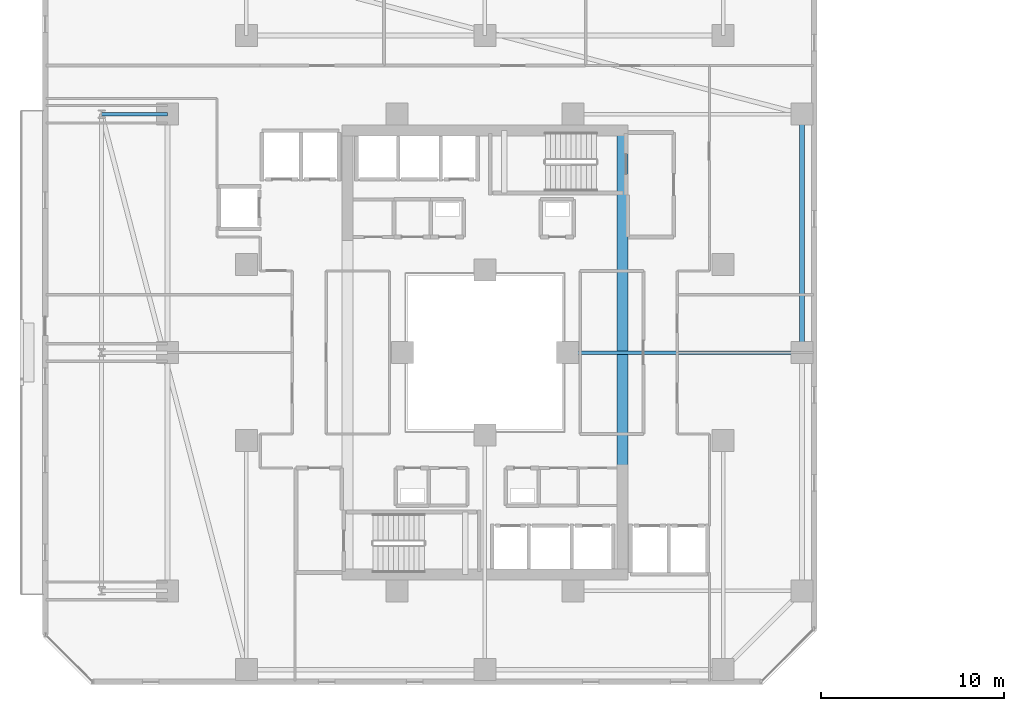
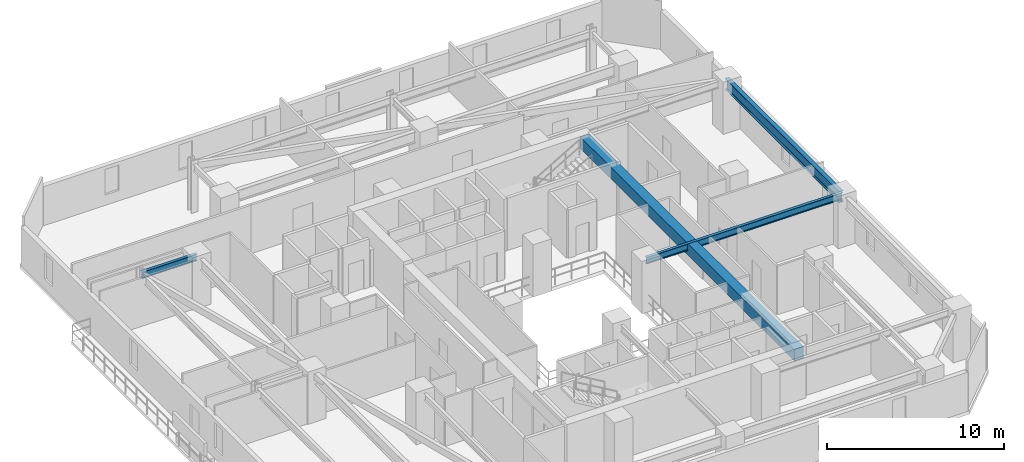
# One storey, part 6 of 33: 4 beams.
"""IFC4 building model written with IfcOpenShell, lengths in metres."""

from ifc_helpers import new_model, si_unit, direction, frame, origin, origin_2d, place, context, subcontext, project, spatial, rectangle, i_section, extrude, material, material_profile, profile_set, type_object, element, save


model = new_model("IFC4")

# Units and contexts
model_context = context("Model", 3, precision=1e-05, world=origin(), true_north=direction((0.0, 1.0)))
body_context = subcontext(model_context, "Body", "Model", "MODEL_VIEW")
ifc_project = project(units=[si_unit("LENGTHUNIT", "METRE"), si_unit("AREAUNIT", "SQUARE_METRE"), si_unit("VOLUMEUNIT", "CUBIC_METRE"), si_unit("PLANEANGLEUNIT", "RADIAN"), si_unit("MASSUNIT", "GRAM", prefix="KILO")], contexts=[model_context])

# Site, building, storey
site_placement = place(None, origin())
site = spatial("IfcSite", under=ifc_project, at=site_placement, CompositionType="ELEMENT")
building_placement = place(site_placement, origin())
building = spatial("IfcBuilding", under=site, at=building_placement, Name="Thornwick Lancets Civic Towers", CompositionType="ELEMENT")
storey_placement = place(building_placement, frame((0.0, 0.0, 112.5)))
storey = spatial("IfcBuildingStorey", under=building, at=storey_placement, Name="L29", CompositionType="ELEMENT", Elevation=112.5)

# Beams
ifc_material_1 = material(Name="Concrete C60/75", Category="concrete")
ifc_material_profile_1 = material_profile(ifc_material_1, rectangle(XDim=0.60009765625, YDim=0.800048828125, at=origin_2d()), Name="RC 600x800")
ifc_profile_set_1 = profile_set([ifc_material_profile_1], Name="Concrete C60/75")
beam_type_1 = type_object("IfcBeamType", Name="BM_COUP_RC800", PredefinedType="BEAM", material=ifc_profile_set_1)
beam_1_placement = place(storey_placement, frame((33.0, 14.89990234375, 2.9599609375), z_axis=(0.0, 1.0, 0.0), x_axis=(-1.0, 0.0, 0.0)))
element("IfcBeam", 1, at=beam_1_placement, inside=storey, type_object=beam_type_1, Name="CB-L29-A1", PredefinedType="BEAM", context=body_context, shape_type="SweptSolid", body=[
    extrude(rectangle(XDim=0.60009765625, YDim=0.800048828125, at=origin_2d()), origin(), (0.0, 0.0, 1.0), 24.2001953125),
])
ifc_material_2 = material(Name="Steel S355JR", Category="steel")
ifc_material_profile_2 = material_profile(ifc_material_2, i_section(OverallWidth=0.26806640625, OverallDepth=0.769775390625, WebThickness=0.015625, FlangeThickness=0.025390625, FilletRadius=0.0166015625, at=origin_2d()), Name="UKB 762x267x197")
ifc_profile_set_2 = profile_set([ifc_material_profile_2], Name="Steel S355JR")
beam_type_2 = type_object("IfcBeamType", Name="BM_GIRD_762_197", PredefinedType="BEAM", material=ifc_profile_set_2)
beam_2_placement = place(storey_placement, frame((42.800048828125, 27.080078125, 2.97509765625), z_axis=(0.0, 1.0, 0.0), x_axis=(-1.0, 0.0, 0.0)))
element("IfcBeam", 2, at=beam_2_placement, inside=storey, type_object=beam_type_2, Name="BM-SPINE-L29-A-4-5", PredefinedType="BEAM", context=body_context, shape_type="SweptSolid", body=[
    extrude(i_section(OverallWidth=0.26806640625, OverallDepth=0.769775390625, WebThickness=0.015625, FlangeThickness=0.025390625, FilletRadius=0.0166015625, at=origin_2d()), origin(), (0.0, 0.0, 1.0), 12.919921875),
])
ifc_material_profile_3 = material_profile(ifc_material_2, i_section(OverallWidth=0.19189453125, OverallDepth=0.46337890625, WebThickness=0.010498046875, FlangeThickness=0.017578125, FilletRadius=0.01025390625, at=origin_2d()), Name="UKB 457x191x89")
ifc_profile_set_3 = profile_set([ifc_material_profile_3], Name="Steel S355JR")
beam_type_3 = type_object("IfcBeamType", Name="BM_JOIST_457_89", PredefinedType="JOIST", material=ifc_profile_set_3)
beam_3_placement = place(storey_placement, frame((30.0, 27.0, 3.12841796875), z_axis=(1.0, 0.0, 0.0), x_axis=(0.0, 1.0, 0.0)))
element("IfcBeam", 3, at=beam_3_placement, inside=storey, type_object=beam_type_3, Name="BM-RADIN-L29-A05", PredefinedType="JOIST", context=body_context, shape_type="SweptSolid", body=[
    extrude(i_section(OverallWidth=0.19189453125, OverallDepth=0.46337890625, WebThickness=0.010498046875, FlangeThickness=0.017578125, FilletRadius=0.01025390625, at=origin_2d()), origin(), (0.0, 0.0, 1.0), 12.800048828125),
])
beam_4_placement = place(storey_placement, frame((8.199951171875, 40.0, 3.12841796875), z_axis=(-1.0, 0.0, 0.0), x_axis=(0.0, -1.0, 0.0)))
element("IfcBeam", 4, at=beam_4_placement, inside=storey, type_object=beam_type_3, Name="BM-RAD-L29-A12", PredefinedType="JOIST", context=body_context, shape_type="SweptSolid", body=[
    extrude(i_section(OverallWidth=0.19189453125, OverallDepth=0.46337890625, WebThickness=0.010498046875, FlangeThickness=0.017578125, FilletRadius=0.01025390625, at=origin_2d()), origin(), (0.0, 0.0, 1.0), 3.599853515625),
])

save(model, "model.ifc")
